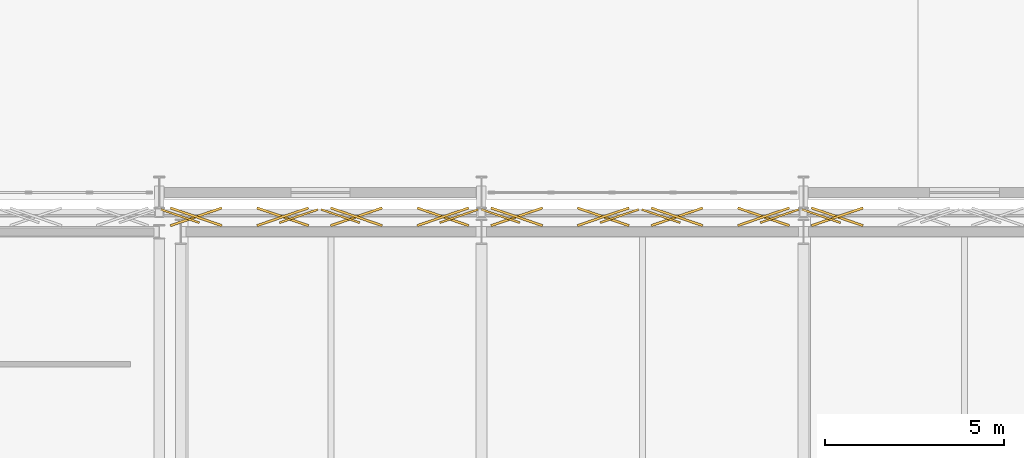
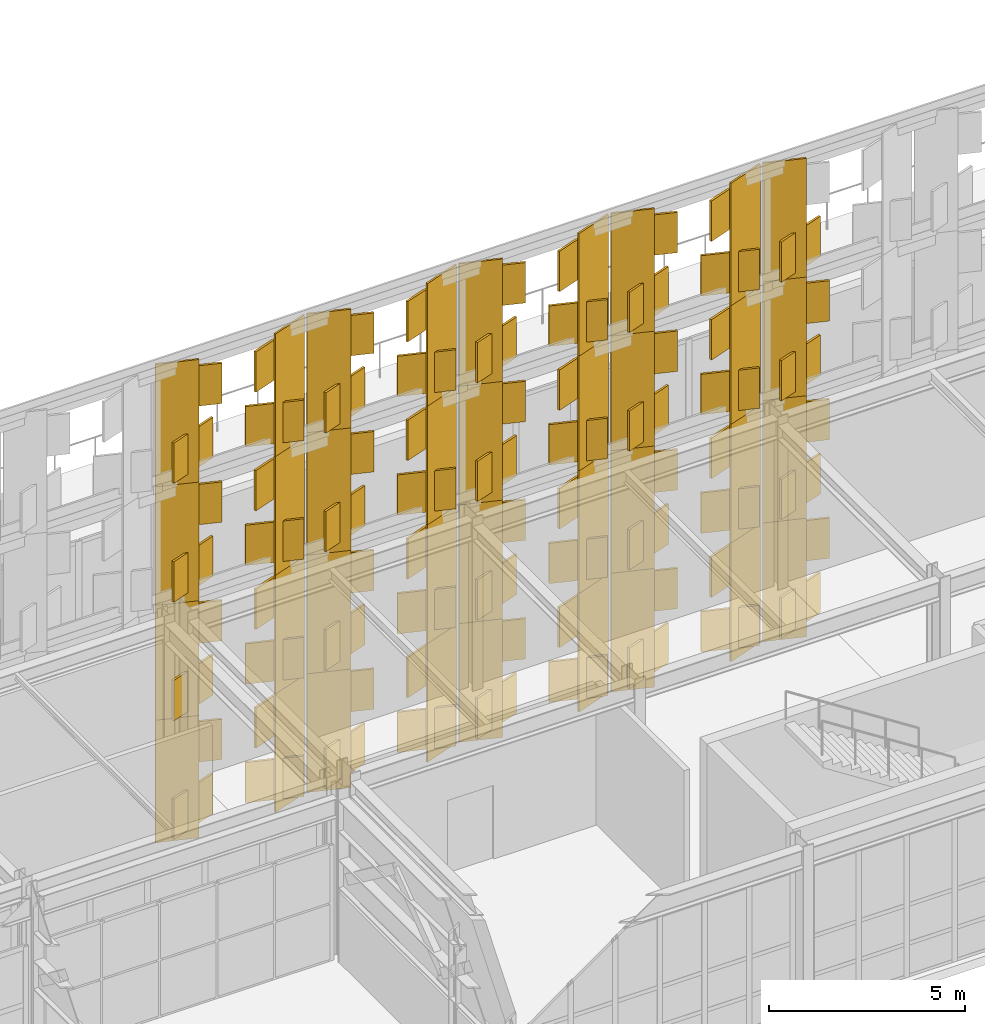
# One storey, part 187 of 210: 107 coverings.
"""IFC4 building model written with IfcOpenShell, lengths in metres."""

from ifc_helpers import new_model, si_unit, direction, frame, origin, origin_2d, place, context, subcontext, project, spatial, rectangle, extrude, material, layer, layer_set, type_object, element, save


model = new_model("IFC4")

# Units and contexts
model_context = context("Model", 3, precision=1e-05, world=origin(), true_north=direction((0.0, 1.0)))
body_context = subcontext(model_context, "Body", "Model", "MODEL_VIEW")
ifc_project = project(units=[si_unit("LENGTHUNIT", "METRE"), si_unit("AREAUNIT", "SQUARE_METRE"), si_unit("VOLUMEUNIT", "CUBIC_METRE"), si_unit("PLANEANGLEUNIT", "RADIAN"), si_unit("MASSUNIT", "GRAM", prefix="KILO")], contexts=[model_context])

# Site, building, storey
site_placement = place(None, origin())
site = spatial("IfcSite", under=ifc_project, at=site_placement, CompositionType="ELEMENT")
building_placement = place(site_placement, origin())
building = spatial("IfcBuilding", under=site, at=building_placement, Name="Kaldris Quays Convention Centre", CompositionType="ELEMENT")
storey_placement = place(building_placement, frame((0.0, 0.0, 6.0)))
storey = spatial("IfcBuildingStorey", under=building, at=storey_placement, Name="L01", CompositionType="ELEMENT", Elevation=6.0)

# Coverings
ifc_material = material(Name="Alabaster white star-pierced anodized aluminium panel", Category="aluminium")
ifc_layer = layer(ifc_material, 0.044921875)
ifc_layer_set = layer_set([ifc_layer], Name="Alabaster white star-pierced anodized aluminium panel")
covering_type = type_object("IfcCoveringType", Name="STAR PIERCED WHITE FOLDED SCREEN CL01", PredefinedType="CLADDING", material=ifc_layer_set)
for number, where, z_axis, x_axis, name in (
    (1, (83.582275390625, 55.340087890625, -2.2099609375), (0.0, 0.0, 1.0), (0.945518575599, -0.325568154457, 0.0), "V1S Folded White Screen Stile 1416"),
    (2, (86.896484375, 55.340087890625, -2.2099609375), (0.0, 0.0, 1.0), (0.945518575599, 0.325568154457, 0.0), "V1S Folded White Screen Stile 1417"),
):
    element("IfcCovering", number, at=place(storey_placement, frame(where, z_axis=z_axis, x_axis=x_axis)), inside=storey, type_object=covering_type, Name=name, PredefinedType="CLADDING", context=body_context, shape_type="SweptSolid", body=[
        extrude(rectangle(XDim=1.136962890625, YDim=0.054931640625, at=origin_2d()), origin(), (0.0, 0.0, 1.0), 3.820068359375),
    ])
for number, where, z_axis, x_axis, name in (
    (3, (84.030029296875, 55.320068359375, -1.92822265625), (0.0, 0.0, 1.0), (0.945518575599, 0.325568154457, 0.0), "V1S Carved Star Corner Facet 1418"),
    (4, (84.030029296875, 55.320068359375, 0.06982421875), (0.0, 0.0, 1.0), (0.945518575599, -0.325568154457, 0.0), "V1S Carved Star Corner Facet 1419"),
    (5, (86.448486328125, 55.320068359375, -1.92822265625), (0.0, 0.0, 1.0), (0.945518575599, -0.325568154457, 0.0), "V1S Carved Star Corner Facet 1420"),
    (6, (86.448486328125, 55.320068359375, 0.06982421875), (0.0, 0.0, 1.0), (0.945518575599, 0.325568154457, 0.0), "V1S Carved Star Corner Facet 1421"),
):
    element("IfcCovering", number, at=place(storey_placement, frame(where, z_axis=z_axis, x_axis=x_axis)), inside=storey, type_object=covering_type, Name=name, PredefinedType="CLADDING", context=body_context, shape_type="SweptSolid", body=[
        extrude(rectangle(XDim=1.52294921875, YDim=0.06494140625, at=origin_2d()), origin(), (0.0, 0.0, 1.0), 1.258056640625),
    ])
for number, where, z_axis, x_axis, name in (
    (7, (83.582275390625, 55.340087890625, 1.48974609375), (0.0, 0.0, 1.0), (0.945518575599, -0.325568154457, 0.0), "V1S Folded White Screen Stile 1422"),
    (8, (86.896484375, 55.340087890625, 1.48974609375), (0.0, 0.0, 1.0), (0.945518575599, 0.325568154457, 0.0), "V1S Folded White Screen Stile 1423"),
):
    element("IfcCovering", number, at=place(storey_placement, frame(where, z_axis=z_axis, x_axis=x_axis)), inside=storey, type_object=covering_type, Name=name, PredefinedType="CLADDING", context=body_context, shape_type="SweptSolid", body=[
        extrude(rectangle(XDim=1.136962890625, YDim=0.054931640625, at=origin_2d()), origin(), (0.0, 0.0, 1.0), 3.820068359375),
    ])
for number, where, z_axis, x_axis, name in (
    (9, (84.030029296875, 55.320068359375, 1.77197265625), (0.0, 0.0, 1.0), (0.945518575599, 0.325568154457, 0.0), "V1S Carved Star Corner Facet 1424"),
    (10, (84.030029296875, 55.320068359375, 3.77001953125), (0.0, 0.0, 1.0), (0.945518575599, -0.325568154457, 0.0), "V1S Carved Star Corner Facet 1425"),
    (11, (86.448486328125, 55.320068359375, 1.77197265625), (0.0, 0.0, 1.0), (0.945518575599, -0.325568154457, 0.0), "V1S Carved Star Corner Facet 1426"),
    (12, (86.448486328125, 55.320068359375, 3.77001953125), (0.0, 0.0, 1.0), (0.945518575599, 0.325568154457, 0.0), "V1S Carved Star Corner Facet 1427"),
):
    element("IfcCovering", number, at=place(storey_placement, frame(where, z_axis=z_axis, x_axis=x_axis)), inside=storey, type_object=covering_type, Name=name, PredefinedType="CLADDING", context=body_context, shape_type="SweptSolid", body=[
        extrude(rectangle(XDim=1.52294921875, YDim=0.06494140625, at=origin_2d()), origin(), (0.0, 0.0, 1.0), 1.258056640625),
    ])
for number, where, z_axis, x_axis, name in (
    (13, (83.582275390625, 55.340087890625, 5.18994140625), (0.0, 0.0, 1.0), (0.945518575599, -0.325568154457, 0.0), "V1S Folded White Screen Stile 1428"),
    (14, (86.896484375, 55.340087890625, 5.18994140625), (0.0, 0.0, 1.0), (0.945518575599, 0.325568154457, 0.0), "V1S Folded White Screen Stile 1429"),
):
    element("IfcCovering", number, at=place(storey_placement, frame(where, z_axis=z_axis, x_axis=x_axis)), inside=storey, type_object=covering_type, Name=name, PredefinedType="CLADDING", context=body_context, shape_type="SweptSolid", body=[
        extrude(rectangle(XDim=1.136962890625, YDim=0.054931640625, at=origin_2d()), origin(), (0.0, 0.0, 1.0), 3.820068359375),
    ])
for number, where, z_axis, x_axis, name in (
    (15, (84.030029296875, 55.320068359375, 5.47216796875), (0.0, 0.0, 1.0), (0.945518575599, 0.325568154457, 0.0), "V1S Carved Star Corner Facet 1430"),
    (16, (84.030029296875, 55.320068359375, 7.47021484375), (0.0, 0.0, 1.0), (0.945518575599, -0.325568154457, 0.0), "V1S Carved Star Corner Facet 1431"),
    (17, (86.448486328125, 55.320068359375, 5.47216796875), (0.0, 0.0, 1.0), (0.945518575599, -0.325568154457, 0.0), "V1S Carved Star Corner Facet 1432"),
    (18, (86.448486328125, 55.320068359375, 7.47021484375), (0.0, 0.0, 1.0), (0.945518575599, 0.325568154457, 0.0), "V1S Carved Star Corner Facet 1433"),
):
    element("IfcCovering", number, at=place(storey_placement, frame(where, z_axis=z_axis, x_axis=x_axis)), inside=storey, type_object=covering_type, Name=name, PredefinedType="CLADDING", context=body_context, shape_type="SweptSolid", body=[
        extrude(rectangle(XDim=1.52294921875, YDim=0.06494140625, at=origin_2d()), origin(), (0.0, 0.0, 1.0), 1.258056640625),
    ])
for number, where, z_axis, x_axis, name in (
    (19, (83.582275390625, 55.340087890625, 8.89013671875), (0.0, 0.0, 1.0), (0.945518575599, -0.325568154457, 0.0), "V1S Folded White Screen Stile 1434"),
    (20, (86.896484375, 55.340087890625, 8.89013671875), (0.0, 0.0, 1.0), (0.945518575599, 0.325568154457, 0.0), "V1S Folded White Screen Stile 1435"),
):
    element("IfcCovering", number, at=place(storey_placement, frame(where, z_axis=z_axis, x_axis=x_axis)), inside=storey, type_object=covering_type, Name=name, PredefinedType="CLADDING", context=body_context, shape_type="SweptSolid", body=[
        extrude(rectangle(XDim=1.136962890625, YDim=0.054931640625, at=origin_2d()), origin(), (0.0, 0.0, 1.0), 3.820068359375),
    ])
for number, where, z_axis, x_axis, name in (
    (21, (84.030029296875, 55.320068359375, 9.171875), (0.0, 0.0, 1.0), (0.945518575599, 0.325568154457, 0.0), "V1S Carved Star Corner Facet 1436"),
    (22, (84.030029296875, 55.320068359375, 11.169921875), (0.0, 0.0, 1.0), (0.945518575599, -0.325568154457, 0.0), "V1S Carved Star Corner Facet 1437"),
    (23, (86.448486328125, 55.320068359375, 9.171875), (0.0, 0.0, 1.0), (0.945518575599, -0.325568154457, 0.0), "V1S Carved Star Corner Facet 1438"),
    (24, (86.448486328125, 55.320068359375, 11.169921875), (0.0, 0.0, 1.0), (0.945518575599, 0.325568154457, 0.0), "V1S Carved Star Corner Facet 1439"),
):
    element("IfcCovering", number, at=place(storey_placement, frame(where, z_axis=z_axis, x_axis=x_axis)), inside=storey, type_object=covering_type, Name=name, PredefinedType="CLADDING", context=body_context, shape_type="SweptSolid", body=[
        extrude(rectangle(XDim=1.52294921875, YDim=0.06494140625, at=origin_2d()), origin(), (0.0, 0.0, 1.0), 1.258056640625),
    ])
for number, where, z_axis, x_axis, name in (
    (25, (88.060791015625, 55.340087890625, -2.2099609375), (0.0, 0.0, 1.0), (0.945518575599, -0.325568154457, 0.0), "V1S Folded White Screen Stile 1440"),
    (26, (91.375, 55.340087890625, -2.2099609375), (0.0, 0.0, 1.0), (0.945518575599, 0.325568154457, 0.0), "V1S Folded White Screen Stile 1441"),
):
    element("IfcCovering", number, at=place(storey_placement, frame(where, z_axis=z_axis, x_axis=x_axis)), inside=storey, type_object=covering_type, Name=name, PredefinedType="CLADDING", context=body_context, shape_type="SweptSolid", body=[
        extrude(rectangle(XDim=1.136962890625, YDim=0.054931640625, at=origin_2d()), origin(), (0.0, 0.0, 1.0), 3.820068359375),
    ])
for number, where, z_axis, x_axis, name in (
    (27, (88.508544921875, 55.320068359375, -1.92822265625), (0.0, 0.0, 1.0), (0.945518575599, 0.325568154457, 0.0), "V1S Carved Star Corner Facet 1442"),
    (28, (88.508544921875, 55.320068359375, 0.06982421875), (0.0, 0.0, 1.0), (0.945518575599, -0.325568154457, 0.0), "V1S Carved Star Corner Facet 1443"),
    (29, (90.927001953125, 55.320068359375, -1.92822265625), (0.0, 0.0, 1.0), (0.945518575599, -0.325568154457, 0.0), "V1S Carved Star Corner Facet 1444"),
    (30, (90.927001953125, 55.320068359375, 0.06982421875), (0.0, 0.0, 1.0), (0.945518575599, 0.325568154457, 0.0), "V1S Carved Star Corner Facet 1445"),
):
    element("IfcCovering", number, at=place(storey_placement, frame(where, z_axis=z_axis, x_axis=x_axis)), inside=storey, type_object=covering_type, Name=name, PredefinedType="CLADDING", context=body_context, shape_type="SweptSolid", body=[
        extrude(rectangle(XDim=1.52294921875, YDim=0.06494140625, at=origin_2d()), origin(), (0.0, 0.0, 1.0), 1.258056640625),
    ])
for number, where, z_axis, x_axis, name in (
    (31, (88.060791015625, 55.340087890625, 1.48974609375), (0.0, 0.0, 1.0), (0.945518575599, -0.325568154457, 0.0), "V1S Folded White Screen Stile 1446"),
    (32, (91.375, 55.340087890625, 1.48974609375), (0.0, 0.0, 1.0), (0.945518575599, 0.325568154457, 0.0), "V1S Folded White Screen Stile 1447"),
):
    element("IfcCovering", number, at=place(storey_placement, frame(where, z_axis=z_axis, x_axis=x_axis)), inside=storey, type_object=covering_type, Name=name, PredefinedType="CLADDING", context=body_context, shape_type="SweptSolid", body=[
        extrude(rectangle(XDim=1.136962890625, YDim=0.054931640625, at=origin_2d()), origin(), (0.0, 0.0, 1.0), 3.820068359375),
    ])
for number, where, z_axis, x_axis, name in (
    (33, (88.508544921875, 55.320068359375, 1.77197265625), (0.0, 0.0, 1.0), (0.945518575599, 0.325568154457, 0.0), "V1S Carved Star Corner Facet 1448"),
    (34, (88.508544921875, 55.320068359375, 3.77001953125), (0.0, 0.0, 1.0), (0.945518575599, -0.325568154457, 0.0), "V1S Carved Star Corner Facet 1449"),
    (35, (90.927001953125, 55.320068359375, 1.77197265625), (0.0, 0.0, 1.0), (0.945518575599, -0.325568154457, 0.0), "V1S Carved Star Corner Facet 1450"),
    (36, (90.927001953125, 55.320068359375, 3.77001953125), (0.0, 0.0, 1.0), (0.945518575599, 0.325568154457, 0.0), "V1S Carved Star Corner Facet 1451"),
):
    element("IfcCovering", number, at=place(storey_placement, frame(where, z_axis=z_axis, x_axis=x_axis)), inside=storey, type_object=covering_type, Name=name, PredefinedType="CLADDING", context=body_context, shape_type="SweptSolid", body=[
        extrude(rectangle(XDim=1.52294921875, YDim=0.06494140625, at=origin_2d()), origin(), (0.0, 0.0, 1.0), 1.258056640625),
    ])
for number, where, z_axis, x_axis, name in (
    (37, (88.060791015625, 55.340087890625, 5.18994140625), (0.0, 0.0, 1.0), (0.945518575599, -0.325568154457, 0.0), "V1S Folded White Screen Stile 1452"),
    (38, (91.375, 55.340087890625, 5.18994140625), (0.0, 0.0, 1.0), (0.945518575599, 0.325568154457, 0.0), "V1S Folded White Screen Stile 1453"),
):
    element("IfcCovering", number, at=place(storey_placement, frame(where, z_axis=z_axis, x_axis=x_axis)), inside=storey, type_object=covering_type, Name=name, PredefinedType="CLADDING", context=body_context, shape_type="SweptSolid", body=[
        extrude(rectangle(XDim=1.136962890625, YDim=0.054931640625, at=origin_2d()), origin(), (0.0, 0.0, 1.0), 3.820068359375),
    ])
for number, where, z_axis, x_axis, name in (
    (39, (88.508544921875, 55.320068359375, 5.47216796875), (0.0, 0.0, 1.0), (0.945518575599, 0.325568154457, 0.0), "V1S Carved Star Corner Facet 1454"),
    (40, (88.508544921875, 55.320068359375, 7.47021484375), (0.0, 0.0, 1.0), (0.945518575599, -0.325568154457, 0.0), "V1S Carved Star Corner Facet 1455"),
    (41, (90.927001953125, 55.320068359375, 5.47216796875), (0.0, 0.0, 1.0), (0.945518575599, -0.325568154457, 0.0), "V1S Carved Star Corner Facet 1456"),
    (42, (90.927001953125, 55.320068359375, 7.47021484375), (0.0, 0.0, 1.0), (0.945518575599, 0.325568154457, 0.0), "V1S Carved Star Corner Facet 1457"),
):
    element("IfcCovering", number, at=place(storey_placement, frame(where, z_axis=z_axis, x_axis=x_axis)), inside=storey, type_object=covering_type, Name=name, PredefinedType="CLADDING", context=body_context, shape_type="SweptSolid", body=[
        extrude(rectangle(XDim=1.52294921875, YDim=0.06494140625, at=origin_2d()), origin(), (0.0, 0.0, 1.0), 1.258056640625),
    ])
for number, where, z_axis, x_axis, name in (
    (43, (88.060791015625, 55.340087890625, 8.89013671875), (0.0, 0.0, 1.0), (0.945518575599, -0.325568154457, 0.0), "V1S Folded White Screen Stile 1458"),
    (44, (91.375, 55.340087890625, 8.89013671875), (0.0, 0.0, 1.0), (0.945518575599, 0.325568154457, 0.0), "V1S Folded White Screen Stile 1459"),
):
    element("IfcCovering", number, at=place(storey_placement, frame(where, z_axis=z_axis, x_axis=x_axis)), inside=storey, type_object=covering_type, Name=name, PredefinedType="CLADDING", context=body_context, shape_type="SweptSolid", body=[
        extrude(rectangle(XDim=1.136962890625, YDim=0.054931640625, at=origin_2d()), origin(), (0.0, 0.0, 1.0), 3.820068359375),
    ])
for number, where, z_axis, x_axis, name in (
    (45, (88.508544921875, 55.320068359375, 9.171875), (0.0, 0.0, 1.0), (0.945518575599, 0.325568154457, 0.0), "V1S Carved Star Corner Facet 1460"),
    (46, (88.508544921875, 55.320068359375, 11.169921875), (0.0, 0.0, 1.0), (0.945518575599, -0.325568154457, 0.0), "V1S Carved Star Corner Facet 1461"),
    (47, (90.927001953125, 55.320068359375, 9.171875), (0.0, 0.0, 1.0), (0.945518575599, -0.325568154457, 0.0), "V1S Carved Star Corner Facet 1462"),
    (48, (90.927001953125, 55.320068359375, 11.169921875), (0.0, 0.0, 1.0), (0.945518575599, 0.325568154457, 0.0), "V1S Carved Star Corner Facet 1463"),
):
    element("IfcCovering", number, at=place(storey_placement, frame(where, z_axis=z_axis, x_axis=x_axis)), inside=storey, type_object=covering_type, Name=name, PredefinedType="CLADDING", context=body_context, shape_type="SweptSolid", body=[
        extrude(rectangle(XDim=1.52294921875, YDim=0.06494140625, at=origin_2d()), origin(), (0.0, 0.0, 1.0), 1.258056640625),
    ])
for number, where, z_axis, x_axis, name in (
    (49, (92.539306640625, 55.340087890625, -2.2099609375), (0.0, 0.0, 1.0), (0.945518575599, -0.325568154457, 0.0), "V1S Folded White Screen Stile 1464"),
    (50, (95.853515625, 55.340087890625, -2.2099609375), (0.0, 0.0, 1.0), (0.945518575599, 0.325568154457, 0.0), "V1S Folded White Screen Stile 1465"),
):
    element("IfcCovering", number, at=place(storey_placement, frame(where, z_axis=z_axis, x_axis=x_axis)), inside=storey, type_object=covering_type, Name=name, PredefinedType="CLADDING", context=body_context, shape_type="SweptSolid", body=[
        extrude(rectangle(XDim=1.136962890625, YDim=0.054931640625, at=origin_2d()), origin(), (0.0, 0.0, 1.0), 3.820068359375),
    ])
for number, where, z_axis, x_axis, name in (
    (51, (92.9873046875, 55.320068359375, -1.92822265625), (0.0, 0.0, 1.0), (0.945518575599, 0.325568154457, 0.0), "V1S Carved Star Corner Facet 1466"),
    (52, (92.9873046875, 55.320068359375, 0.06982421875), (0.0, 0.0, 1.0), (0.945518575599, -0.325568154457, 0.0), "V1S Carved Star Corner Facet 1467"),
    (53, (95.405517578125, 55.320068359375, -1.92822265625), (0.0, 0.0, 1.0), (0.945518575599, -0.325568154457, 0.0), "V1S Carved Star Corner Facet 1468"),
    (54, (95.405517578125, 55.320068359375, 0.06982421875), (0.0, 0.0, 1.0), (0.945518575599, 0.325568154457, 0.0), "V1S Carved Star Corner Facet 1469"),
):
    element("IfcCovering", number, at=place(storey_placement, frame(where, z_axis=z_axis, x_axis=x_axis)), inside=storey, type_object=covering_type, Name=name, PredefinedType="CLADDING", context=body_context, shape_type="SweptSolid", body=[
        extrude(rectangle(XDim=1.52294921875, YDim=0.06494140625, at=origin_2d()), origin(), (0.0, 0.0, 1.0), 1.258056640625),
    ])
for number, where, z_axis, x_axis, name in (
    (55, (92.539306640625, 55.340087890625, 1.48974609375), (0.0, 0.0, 1.0), (0.945518575599, -0.325568154457, 0.0), "V1S Folded White Screen Stile 1470"),
    (56, (95.853515625, 55.340087890625, 1.48974609375), (0.0, 0.0, 1.0), (0.945518575599, 0.325568154457, 0.0), "V1S Folded White Screen Stile 1471"),
):
    element("IfcCovering", number, at=place(storey_placement, frame(where, z_axis=z_axis, x_axis=x_axis)), inside=storey, type_object=covering_type, Name=name, PredefinedType="CLADDING", context=body_context, shape_type="SweptSolid", body=[
        extrude(rectangle(XDim=1.136962890625, YDim=0.054931640625, at=origin_2d()), origin(), (0.0, 0.0, 1.0), 3.820068359375),
    ])
for number, where, z_axis, x_axis, name in (
    (57, (92.9873046875, 55.320068359375, 1.77197265625), (0.0, 0.0, 1.0), (0.945518575599, 0.325568154457, 0.0), "V1S Carved Star Corner Facet 1472"),
    (58, (92.9873046875, 55.320068359375, 3.77001953125), (0.0, 0.0, 1.0), (0.945518575599, -0.325568154457, 0.0), "V1S Carved Star Corner Facet 1473"),
    (59, (95.405517578125, 55.320068359375, 1.77197265625), (0.0, 0.0, 1.0), (0.945518575599, -0.325568154457, 0.0), "V1S Carved Star Corner Facet 1474"),
    (60, (95.405517578125, 55.320068359375, 3.77001953125), (0.0, 0.0, 1.0), (0.945518575599, 0.325568154457, 0.0), "V1S Carved Star Corner Facet 1475"),
):
    element("IfcCovering", number, at=place(storey_placement, frame(where, z_axis=z_axis, x_axis=x_axis)), inside=storey, type_object=covering_type, Name=name, PredefinedType="CLADDING", context=body_context, shape_type="SweptSolid", body=[
        extrude(rectangle(XDim=1.52294921875, YDim=0.06494140625, at=origin_2d()), origin(), (0.0, 0.0, 1.0), 1.258056640625),
    ])
for number, where, z_axis, x_axis, name in (
    (61, (92.539306640625, 55.340087890625, 5.18994140625), (0.0, 0.0, 1.0), (0.945518575599, -0.325568154457, 0.0), "V1S Folded White Screen Stile 1476"),
    (62, (95.853515625, 55.340087890625, 5.18994140625), (0.0, 0.0, 1.0), (0.945518575599, 0.325568154457, 0.0), "V1S Folded White Screen Stile 1477"),
):
    element("IfcCovering", number, at=place(storey_placement, frame(where, z_axis=z_axis, x_axis=x_axis)), inside=storey, type_object=covering_type, Name=name, PredefinedType="CLADDING", context=body_context, shape_type="SweptSolid", body=[
        extrude(rectangle(XDim=1.136962890625, YDim=0.054931640625, at=origin_2d()), origin(), (0.0, 0.0, 1.0), 3.820068359375),
    ])
for number, where, z_axis, x_axis, name in (
    (63, (92.9873046875, 55.320068359375, 5.47216796875), (0.0, 0.0, 1.0), (0.945518575599, 0.325568154457, 0.0), "V1S Carved Star Corner Facet 1478"),
    (64, (92.9873046875, 55.320068359375, 7.47021484375), (0.0, 0.0, 1.0), (0.945518575599, -0.325568154457, 0.0), "V1S Carved Star Corner Facet 1479"),
    (65, (95.405517578125, 55.320068359375, 5.47216796875), (0.0, 0.0, 1.0), (0.945518575599, -0.325568154457, 0.0), "V1S Carved Star Corner Facet 1480"),
    (66, (95.405517578125, 55.320068359375, 7.47021484375), (0.0, 0.0, 1.0), (0.945518575599, 0.325568154457, 0.0), "V1S Carved Star Corner Facet 1481"),
):
    element("IfcCovering", number, at=place(storey_placement, frame(where, z_axis=z_axis, x_axis=x_axis)), inside=storey, type_object=covering_type, Name=name, PredefinedType="CLADDING", context=body_context, shape_type="SweptSolid", body=[
        extrude(rectangle(XDim=1.52294921875, YDim=0.06494140625, at=origin_2d()), origin(), (0.0, 0.0, 1.0), 1.258056640625),
    ])
for number, where, z_axis, x_axis, name in (
    (67, (92.539306640625, 55.340087890625, 8.89013671875), (0.0, 0.0, 1.0), (0.945518575599, -0.325568154457, 0.0), "V1S Folded White Screen Stile 1482"),
    (68, (95.853515625, 55.340087890625, 8.89013671875), (0.0, 0.0, 1.0), (0.945518575599, 0.325568154457, 0.0), "V1S Folded White Screen Stile 1483"),
):
    element("IfcCovering", number, at=place(storey_placement, frame(where, z_axis=z_axis, x_axis=x_axis)), inside=storey, type_object=covering_type, Name=name, PredefinedType="CLADDING", context=body_context, shape_type="SweptSolid", body=[
        extrude(rectangle(XDim=1.136962890625, YDim=0.054931640625, at=origin_2d()), origin(), (0.0, 0.0, 1.0), 3.820068359375),
    ])
for number, where, z_axis, x_axis, name in (
    (69, (92.9873046875, 55.320068359375, 9.171875), (0.0, 0.0, 1.0), (0.945518575599, 0.325568154457, 0.0), "V1S Carved Star Corner Facet 1484"),
    (70, (92.9873046875, 55.320068359375, 11.169921875), (0.0, 0.0, 1.0), (0.945518575599, -0.325568154457, 0.0), "V1S Carved Star Corner Facet 1485"),
    (71, (95.405517578125, 55.320068359375, 9.171875), (0.0, 0.0, 1.0), (0.945518575599, -0.325568154457, 0.0), "V1S Carved Star Corner Facet 1486"),
    (72, (95.405517578125, 55.320068359375, 11.169921875), (0.0, 0.0, 1.0), (0.945518575599, 0.325568154457, 0.0), "V1S Carved Star Corner Facet 1487"),
):
    element("IfcCovering", number, at=place(storey_placement, frame(where, z_axis=z_axis, x_axis=x_axis)), inside=storey, type_object=covering_type, Name=name, PredefinedType="CLADDING", context=body_context, shape_type="SweptSolid", body=[
        extrude(rectangle(XDim=1.52294921875, YDim=0.06494140625, at=origin_2d()), origin(), (0.0, 0.0, 1.0), 1.258056640625),
    ])
for number, where, z_axis, x_axis, name in (
    (73, (97.017822265625, 55.340087890625, -2.2099609375), (0.0, 0.0, 1.0), (0.945518575599, -0.325568154457, 0.0), "V1S Folded White Screen Stile 1488"),
    (74, (100.33203125, 55.340087890625, -2.2099609375), (0.0, 0.0, 1.0), (0.945518575599, 0.325568154457, 0.0), "V1S Folded White Screen Stile 1489"),
):
    element("IfcCovering", number, at=place(storey_placement, frame(where, z_axis=z_axis, x_axis=x_axis)), inside=storey, type_object=covering_type, Name=name, PredefinedType="CLADDING", context=body_context, shape_type="SweptSolid", body=[
        extrude(rectangle(XDim=1.136962890625, YDim=0.054931640625, at=origin_2d()), origin(), (0.0, 0.0, 1.0), 3.820068359375),
    ])
for number, where, z_axis, x_axis, name in (
    (75, (97.4658203125, 55.320068359375, -1.92822265625), (0.0, 0.0, 1.0), (0.945518575599, 0.325568154457, 0.0), "V1S Carved Star Corner Facet 1490"),
    (76, (97.4658203125, 55.320068359375, 0.06982421875), (0.0, 0.0, 1.0), (0.945518575599, -0.325568154457, 0.0), "V1S Carved Star Corner Facet 1491"),
    (77, (99.88427734375, 55.320068359375, -1.92822265625), (0.0, 0.0, 1.0), (0.945518575599, -0.325568154457, 0.0), "V1S Carved Star Corner Facet 1492"),
    (78, (99.88427734375, 55.320068359375, 0.06982421875), (0.0, 0.0, 1.0), (0.945518575599, 0.325568154457, 0.0), "V1S Carved Star Corner Facet 1493"),
):
    element("IfcCovering", number, at=place(storey_placement, frame(where, z_axis=z_axis, x_axis=x_axis)), inside=storey, type_object=covering_type, Name=name, PredefinedType="CLADDING", context=body_context, shape_type="SweptSolid", body=[
        extrude(rectangle(XDim=1.52294921875, YDim=0.06494140625, at=origin_2d()), origin(), (0.0, 0.0, 1.0), 1.258056640625),
    ])
for number, where, z_axis, x_axis, name in (
    (79, (97.017822265625, 55.340087890625, 1.48974609375), (0.0, 0.0, 1.0), (0.945518575599, -0.325568154457, 0.0), "V1S Folded White Screen Stile 1494"),
    (80, (100.33203125, 55.340087890625, 1.48974609375), (0.0, 0.0, 1.0), (0.945518575599, 0.325568154457, 0.0), "V1S Folded White Screen Stile 1495"),
):
    element("IfcCovering", number, at=place(storey_placement, frame(where, z_axis=z_axis, x_axis=x_axis)), inside=storey, type_object=covering_type, Name=name, PredefinedType="CLADDING", context=body_context, shape_type="SweptSolid", body=[
        extrude(rectangle(XDim=1.136962890625, YDim=0.054931640625, at=origin_2d()), origin(), (0.0, 0.0, 1.0), 3.820068359375),
    ])
for number, where, z_axis, x_axis, name in (
    (81, (97.4658203125, 55.320068359375, 1.77197265625), (0.0, 0.0, 1.0), (0.945518575599, 0.325568154457, 0.0), "V1S Carved Star Corner Facet 1496"),
    (82, (97.4658203125, 55.320068359375, 3.77001953125), (0.0, 0.0, 1.0), (0.945518575599, -0.325568154457, 0.0), "V1S Carved Star Corner Facet 1497"),
    (83, (99.88427734375, 55.320068359375, 1.77197265625), (0.0, 0.0, 1.0), (0.945518575599, -0.325568154457, 0.0), "V1S Carved Star Corner Facet 1498"),
    (84, (99.88427734375, 55.320068359375, 3.77001953125), (0.0, 0.0, 1.0), (0.945518575599, 0.325568154457, 0.0), "V1S Carved Star Corner Facet 1499"),
):
    element("IfcCovering", number, at=place(storey_placement, frame(where, z_axis=z_axis, x_axis=x_axis)), inside=storey, type_object=covering_type, Name=name, PredefinedType="CLADDING", context=body_context, shape_type="SweptSolid", body=[
        extrude(rectangle(XDim=1.52294921875, YDim=0.06494140625, at=origin_2d()), origin(), (0.0, 0.0, 1.0), 1.258056640625),
    ])
for number, where, z_axis, x_axis, name in (
    (85, (97.017822265625, 55.340087890625, 5.18994140625), (0.0, 0.0, 1.0), (0.945518575599, -0.325568154457, 0.0), "V1S Folded White Screen Stile 1500"),
    (86, (100.33203125, 55.340087890625, 5.18994140625), (0.0, 0.0, 1.0), (0.945518575599, 0.325568154457, 0.0), "V1S Folded White Screen Stile 1501"),
):
    element("IfcCovering", number, at=place(storey_placement, frame(where, z_axis=z_axis, x_axis=x_axis)), inside=storey, type_object=covering_type, Name=name, PredefinedType="CLADDING", context=body_context, shape_type="SweptSolid", body=[
        extrude(rectangle(XDim=1.136962890625, YDim=0.054931640625, at=origin_2d()), origin(), (0.0, 0.0, 1.0), 3.820068359375),
    ])
for number, where, z_axis, x_axis, name in (
    (87, (97.4658203125, 55.320068359375, 5.47216796875), (0.0, 0.0, 1.0), (0.945518575599, 0.325568154457, 0.0), "V1S Carved Star Corner Facet 1502"),
    (88, (97.4658203125, 55.320068359375, 7.47021484375), (0.0, 0.0, 1.0), (0.945518575599, -0.325568154457, 0.0), "V1S Carved Star Corner Facet 1503"),
    (89, (99.88427734375, 55.320068359375, 5.47216796875), (0.0, 0.0, 1.0), (0.945518575599, -0.325568154457, 0.0), "V1S Carved Star Corner Facet 1504"),
    (90, (99.88427734375, 55.320068359375, 7.47021484375), (0.0, 0.0, 1.0), (0.945518575599, 0.325568154457, 0.0), "V1S Carved Star Corner Facet 1505"),
):
    element("IfcCovering", number, at=place(storey_placement, frame(where, z_axis=z_axis, x_axis=x_axis)), inside=storey, type_object=covering_type, Name=name, PredefinedType="CLADDING", context=body_context, shape_type="SweptSolid", body=[
        extrude(rectangle(XDim=1.52294921875, YDim=0.06494140625, at=origin_2d()), origin(), (0.0, 0.0, 1.0), 1.258056640625),
    ])
for number, where, z_axis, x_axis, name in (
    (91, (97.017822265625, 55.340087890625, 8.89013671875), (0.0, 0.0, 1.0), (0.945518575599, -0.325568154457, 0.0), "V1S Folded White Screen Stile 1506"),
    (92, (100.33203125, 55.340087890625, 8.89013671875), (0.0, 0.0, 1.0), (0.945518575599, 0.325568154457, 0.0), "V1S Folded White Screen Stile 1507"),
):
    element("IfcCovering", number, at=place(storey_placement, frame(where, z_axis=z_axis, x_axis=x_axis)), inside=storey, type_object=covering_type, Name=name, PredefinedType="CLADDING", context=body_context, shape_type="SweptSolid", body=[
        extrude(rectangle(XDim=1.136962890625, YDim=0.054931640625, at=origin_2d()), origin(), (0.0, 0.0, 1.0), 3.820068359375),
    ])
for number, where, z_axis, x_axis, name in (
    (93, (97.4658203125, 55.320068359375, 9.171875), (0.0, 0.0, 1.0), (0.945518575599, 0.325568154457, 0.0), "V1S Carved Star Corner Facet 1508"),
    (94, (97.4658203125, 55.320068359375, 11.169921875), (0.0, 0.0, 1.0), (0.945518575599, -0.325568154457, 0.0), "V1S Carved Star Corner Facet 1509"),
    (95, (99.88427734375, 55.320068359375, 9.171875), (0.0, 0.0, 1.0), (0.945518575599, -0.325568154457, 0.0), "V1S Carved Star Corner Facet 1510"),
    (96, (99.88427734375, 55.320068359375, 11.169921875), (0.0, 0.0, 1.0), (0.945518575599, 0.325568154457, 0.0), "V1S Carved Star Corner Facet 1511"),
):
    element("IfcCovering", number, at=place(storey_placement, frame(where, z_axis=z_axis, x_axis=x_axis)), inside=storey, type_object=covering_type, Name=name, PredefinedType="CLADDING", context=body_context, shape_type="SweptSolid", body=[
        extrude(rectangle(XDim=1.52294921875, YDim=0.06494140625, at=origin_2d()), origin(), (0.0, 0.0, 1.0), 1.258056640625),
    ])
covering_1_placement = place(storey_placement, frame((101.49658203125, 55.340087890625, -2.2099609375), z_axis=(0.0, 0.0, 1.0), x_axis=(0.945518575599, -0.325568154457, 0.0)))
element("IfcCovering", 97, at=covering_1_placement, inside=storey, type_object=covering_type, Name="V1S Folded White Screen Stile 1512", PredefinedType="CLADDING", context=body_context, shape_type="SweptSolid", body=[
    extrude(rectangle(XDim=1.136962890625, YDim=0.054931640625, at=origin_2d()), origin(), (0.0, 0.0, 1.0), 3.820068359375),
])
for number, where, z_axis, x_axis, name in (
    (98, (101.9443359375, 55.320068359375, -1.92822265625), (0.0, 0.0, 1.0), (0.945518575599, 0.325568154457, 0.0), "V1S Carved Star Corner Facet 1514"),
    (99, (101.9443359375, 55.320068359375, 0.06982421875), (0.0, 0.0, 1.0), (0.945518575599, -0.325568154457, 0.0), "V1S Carved Star Corner Facet 1515"),
):
    element("IfcCovering", number, at=place(storey_placement, frame(where, z_axis=z_axis, x_axis=x_axis)), inside=storey, type_object=covering_type, Name=name, PredefinedType="CLADDING", context=body_context, shape_type="SweptSolid", body=[
        extrude(rectangle(XDim=1.52294921875, YDim=0.06494140625, at=origin_2d()), origin(), (0.0, 0.0, 1.0), 1.258056640625),
    ])
covering_2_placement = place(storey_placement, frame((101.49658203125, 55.340087890625, 1.48974609375), z_axis=(0.0, 0.0, 1.0), x_axis=(0.945518575599, -0.325568154457, 0.0)))
element("IfcCovering", 100, at=covering_2_placement, inside=storey, type_object=covering_type, Name="V1S Folded White Screen Stile 1518", PredefinedType="CLADDING", context=body_context, shape_type="SweptSolid", body=[
    extrude(rectangle(XDim=1.136962890625, YDim=0.054931640625, at=origin_2d()), origin(), (0.0, 0.0, 1.0), 3.820068359375),
])
for number, where, z_axis, x_axis, name in (
    (101, (101.9443359375, 55.320068359375, 1.77197265625), (0.0, 0.0, 1.0), (0.945518575599, 0.325568154457, 0.0), "V1S Carved Star Corner Facet 1520"),
    (102, (101.9443359375, 55.320068359375, 3.77001953125), (0.0, 0.0, 1.0), (0.945518575599, -0.325568154457, 0.0), "V1S Carved Star Corner Facet 1521"),
):
    element("IfcCovering", number, at=place(storey_placement, frame(where, z_axis=z_axis, x_axis=x_axis)), inside=storey, type_object=covering_type, Name=name, PredefinedType="CLADDING", context=body_context, shape_type="SweptSolid", body=[
        extrude(rectangle(XDim=1.52294921875, YDim=0.06494140625, at=origin_2d()), origin(), (0.0, 0.0, 1.0), 1.258056640625),
    ])
covering_3_placement = place(storey_placement, frame((101.49658203125, 55.340087890625, 5.18994140625), z_axis=(0.0, 0.0, 1.0), x_axis=(0.945518575599, -0.325568154457, 0.0)))
element("IfcCovering", 103, at=covering_3_placement, inside=storey, type_object=covering_type, Name="V1S Folded White Screen Stile 1524", PredefinedType="CLADDING", context=body_context, shape_type="SweptSolid", body=[
    extrude(rectangle(XDim=1.136962890625, YDim=0.054931640625, at=origin_2d()), origin(), (0.0, 0.0, 1.0), 3.820068359375),
])
for number, where, z_axis, x_axis, name in (
    (104, (101.9443359375, 55.320068359375, 5.47216796875), (0.0, 0.0, 1.0), (0.945518575599, 0.325568154457, 0.0), "V1S Carved Star Corner Facet 1526"),
    (105, (101.9443359375, 55.320068359375, 7.47021484375), (0.0, 0.0, 1.0), (0.945518575599, -0.325568154457, 0.0), "V1S Carved Star Corner Facet 1527"),
):
    element("IfcCovering", number, at=place(storey_placement, frame(where, z_axis=z_axis, x_axis=x_axis)), inside=storey, type_object=covering_type, Name=name, PredefinedType="CLADDING", context=body_context, shape_type="SweptSolid", body=[
        extrude(rectangle(XDim=1.52294921875, YDim=0.06494140625, at=origin_2d()), origin(), (0.0, 0.0, 1.0), 1.258056640625),
    ])
covering_4_placement = place(storey_placement, frame((101.49658203125, 55.340087890625, 8.89013671875), z_axis=(0.0, 0.0, 1.0), x_axis=(0.945518575599, -0.325568154457, 0.0)))
element("IfcCovering", 106, at=covering_4_placement, inside=storey, type_object=covering_type, Name="V1S Folded White Screen Stile 1530", PredefinedType="CLADDING", context=body_context, shape_type="SweptSolid", body=[
    extrude(rectangle(XDim=1.136962890625, YDim=0.054931640625, at=origin_2d()), origin(), (0.0, 0.0, 1.0), 3.820068359375),
])
covering_5_placement = place(storey_placement, frame((101.9443359375, 55.320068359375, 9.171875), z_axis=(0.0, 0.0, 1.0), x_axis=(0.945518575599, 0.325568154457, 0.0)))
element("IfcCovering", 107, at=covering_5_placement, inside=storey, type_object=covering_type, Name="V1S Carved Star Corner Facet 1532", PredefinedType="CLADDING", context=body_context, shape_type="SweptSolid", body=[
    extrude(rectangle(XDim=1.52294921875, YDim=0.06494140625, at=origin_2d()), origin(), (0.0, 0.0, 1.0), 1.258056640625),
])

save(model, "model.ifc")
